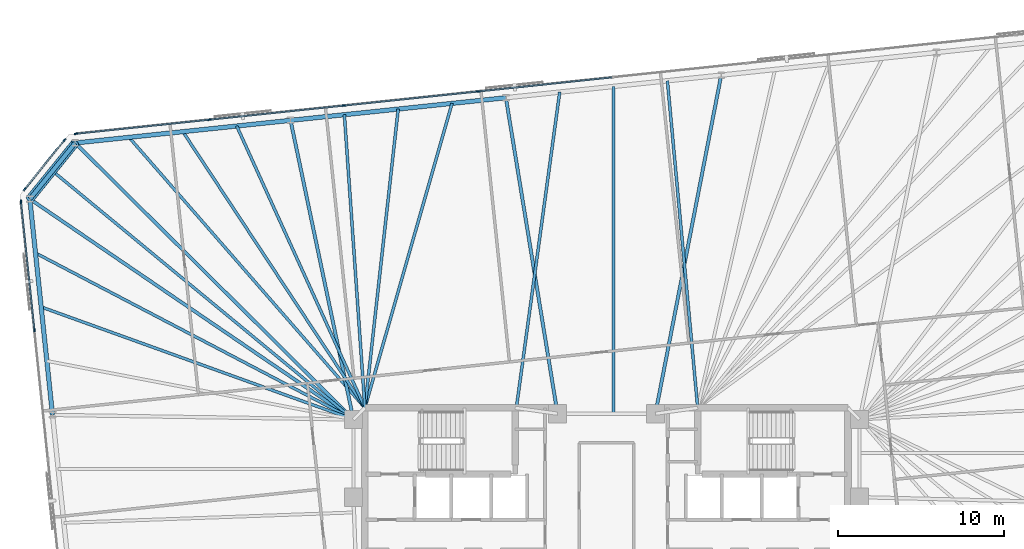
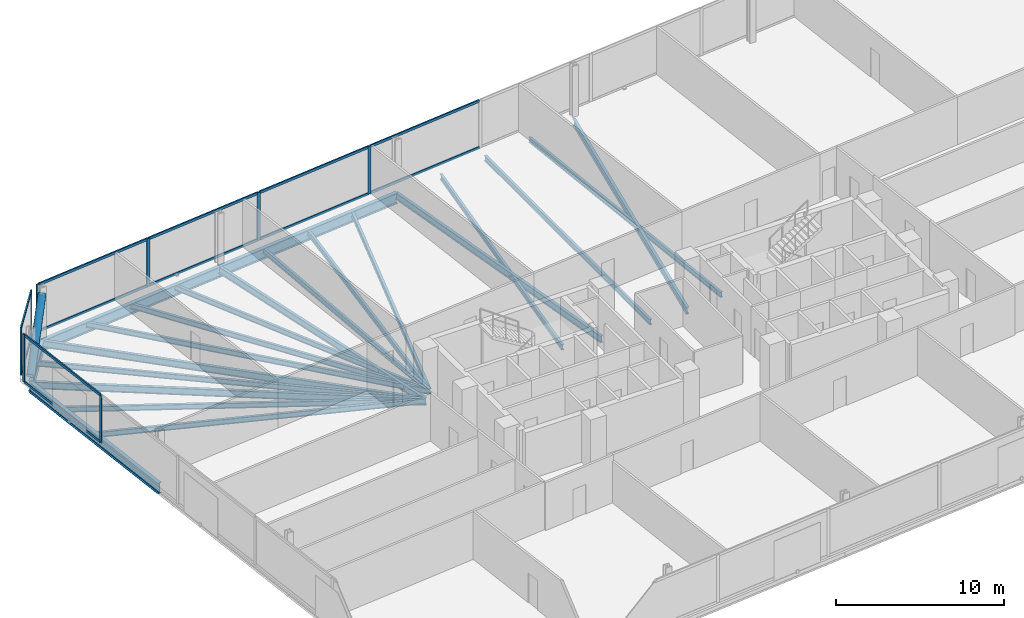
# One storey, part 9 of 18: 21 beams, 21 members, 3 elements without a shape of their own.
"""IFC4 building model written with IfcOpenShell, lengths in metres."""

from ifc_helpers import new_model, si_unit, direction, frame, origin, origin_2d, place, context, subcontext, project, spatial, rectangle, hollow_circle, i_section, extrude, material, material_profile, profile_set, type_object, element, aggregate, save


model = new_model("IFC4")

# Units and contexts
model_context = context("Model", 3, precision=1e-05, world=origin(), true_north=direction((0.0, 1.0)))
body_context = subcontext(model_context, "Body", "Model", "MODEL_VIEW")
ifc_project = project(units=[si_unit("LENGTHUNIT", "METRE"), si_unit("AREAUNIT", "SQUARE_METRE"), si_unit("VOLUMEUNIT", "CUBIC_METRE"), si_unit("PLANEANGLEUNIT", "RADIAN"), si_unit("MASSUNIT", "GRAM", prefix="KILO")], contexts=[model_context])

# Site, building, storey
site_placement = place(None, origin())
site = spatial("IfcSite", under=ifc_project, at=site_placement, CompositionType="ELEMENT")
building_placement = place(site_placement, origin())
building = spatial("IfcBuilding", under=site, at=building_placement, Name="Menara Jurai Vektor", CompositionType="ELEMENT")
storey_placement = place(building_placement, frame((0.0, 0.0, 120.699951171875)))
storey = spatial("IfcBuildingStorey", under=building, at=storey_placement, Name="L30", CompositionType="ELEMENT", Elevation=120.699951171875)

# Curtain wall, members
ifc_material_1 = material(Name="Anodised Pale Aluminium & Low-E Double Glazing", Category="aluminium")
curtain_wall_type = type_object("IfcCurtainWallType", Name="CW-BLK2", PredefinedType="NOTDEFINED", material=ifc_material_1)
curtain_wall_1_placement = place(storey_placement, origin())
curtain_wall_1 = element("IfcCurtainWall", 1, at=curtain_wall_1_placement, inside=storey, type_object=curtain_wall_type, Name="Unitised Curtain Wall L30 F05", PredefinedType="NOTDEFINED")
ifc_material_2 = material(Name="Anodised Pale Aluminium Mullion", Category="aluminium")
ifc_material_profile_1 = material_profile(ifc_material_2, rectangle(XDim=0.090087890625, YDim=0.219970703125, at=origin_2d()), Name="ALU MUL 90x220")
ifc_profile_set_1 = profile_set([ifc_material_profile_1], Name="Anodised Pale Aluminium Mullion")
member_type_1 = type_object("IfcMemberType", Name="CW-BLK2-MUL", PredefinedType="MULLION", material=ifc_profile_set_1)
member_1_placement = place(storey_placement, frame((-7.728271484375, 24.67138671875, 0.0), z_axis=(0.0, 0.0, 1.0), x_axis=(0.104528634935, -0.994521877325, 0.0)))
member_1 = element("IfcMember", 2, at=member_1_placement, type_object=member_type_1, Name="CW-02 mullion 6", PredefinedType="MULLION", context=body_context, shape_type="SweptSolid", body=[
    extrude(rectangle(XDim=0.090087890625, YDim=0.219970703125, at=origin_2d()), origin(), (0.0, 0.0, 1.0), 3.47509765625),
])
member_2_placement = place(storey_placement, frame((-15.826171875, 23.8203125, 0.0), z_axis=(0.0, 0.0, 1.0), x_axis=(0.104528634935, -0.994521877325, 0.0)))
member_2 = element("IfcMember", 3, at=member_2_placement, type_object=member_type_1, Name="CW-02 mullion 7", PredefinedType="MULLION", context=body_context, shape_type="SweptSolid", body=[
    extrude(rectangle(XDim=0.090087890625, YDim=0.219970703125, at=origin_2d()), origin(), (0.0, 0.0, 1.0), 3.47509765625),
])
member_3_placement = place(storey_placement, frame((-23.924072265625, 22.96923828125, 0.0), z_axis=(0.0, 0.0, 1.0), x_axis=(0.104528634935, -0.994521877325, 0.0)))
member_3 = element("IfcMember", 4, at=member_3_placement, type_object=member_type_1, Name="CW-02 mullion 8", PredefinedType="MULLION", context=body_context, shape_type="SweptSolid", body=[
    extrude(rectangle(XDim=0.090087890625, YDim=0.219970703125, at=origin_2d()), origin(), (0.0, 0.0, 1.0), 3.47509765625),
])
member_4_placement = place(storey_placement, frame((-31.97705078125, 22.122802734375, 0.0), z_axis=(0.0, 0.0, 1.0), x_axis=(0.104528634935, -0.994521877325, 0.0)))
member_4 = element("IfcMember", 5, at=member_4_placement, type_object=member_type_1, Name="CW-02 mullion 9", PredefinedType="MULLION", context=body_context, shape_type="SweptSolid", body=[
    extrude(rectangle(XDim=0.090087890625, YDim=0.219970703125, at=origin_2d()), origin(), (0.0, 0.0, 1.0), 3.47509765625),
])

curtain_wall_2_placement = place(storey_placement, origin())
curtain_wall_2 = element("IfcCurtainWall", 6, at=curtain_wall_2_placement, inside=storey, type_object=curtain_wall_type, Name="Unitised Curtain Wall L30 F06", PredefinedType="NOTDEFINED")
member_5_placement = place(storey_placement, frame((-32.667236328125, 21.748046875, 0.0), z_axis=(0.0, 0.0, 1.0), x_axis=(0.777129222223, -0.62934106172, 0.0)))
member_5 = element("IfcMember", 7, at=member_5_placement, type_object=member_type_1, Name="CW-02 mullion 1", PredefinedType="MULLION", context=body_context, shape_type="SweptSolid", body=[
    extrude(rectangle(XDim=0.090087890625, YDim=0.219970703125, at=origin_2d()), origin(), (0.0, 0.0, 1.0), 3.47509765625),
])
member_6_placement = place(storey_placement, frame((-35.0693359375, 18.781982421875, 0.0), z_axis=(0.0, 0.0, 1.0), x_axis=(0.777129222223, -0.62934106172, 0.0)))
member_6 = element("IfcMember", 8, at=member_6_placement, type_object=member_type_1, Name="CW-02 mullion 2", PredefinedType="MULLION", context=body_context, shape_type="SweptSolid", body=[
    extrude(rectangle(XDim=0.090087890625, YDim=0.219970703125, at=origin_2d()), origin(), (0.0, 0.0, 1.0), 3.47509765625),
])

curtain_wall_3_placement = place(storey_placement, origin())
curtain_wall_3 = element("IfcCurtainWall", 9, at=curtain_wall_3_placement, inside=storey, type_object=curtain_wall_type, Name="Unitised Curtain Wall L30 F07", PredefinedType="NOTDEFINED")
member_7_placement = place(storey_placement, frame((-35.29248046875, 18.029052734375, 0.0), z_axis=(0.0, 0.0, 1.0), x_axis=(0.99452177832, 0.104529576902, 0.0)))
member_7 = element("IfcMember", 10, at=member_7_placement, type_object=member_type_1, Name="CW-02 mullion 1", PredefinedType="MULLION", context=body_context, shape_type="SweptSolid", body=[
    extrude(rectangle(XDim=0.090087890625, YDim=0.219970703125, at=origin_2d()), origin(), (0.0, 0.0, 1.0), 3.47509765625),
])
member_8_placement = place(storey_placement, frame((-34.478759765625, 10.28857421875, 0.0), z_axis=(0.0, 0.0, 1.0), x_axis=(0.99452177832, 0.104529576902, 0.0)))
member_8 = element("IfcMember", 11, at=member_8_placement, type_object=member_type_1, Name="CW-02 mullion 2", PredefinedType="MULLION", context=body_context, shape_type="SweptSolid", body=[
    extrude(rectangle(XDim=0.090087890625, YDim=0.219970703125, at=origin_2d()), origin(), (0.0, 0.0, 1.0), 3.47509765625),
])

# Member
ifc_material_3 = material(Name="Anodised Pale Aluminium Transom", Category="aluminium")
ifc_material_profile_2 = material_profile(ifc_material_3, rectangle(XDim=0.090087890625, YDim=0.18505859375, at=origin_2d()), Name="ALU TRN 90x185")
ifc_profile_set_2 = profile_set([ifc_material_profile_2], Name="Anodised Pale Aluminium Transom")
member_type_2 = type_object("IfcMemberType", Name="CW-BLK2-TRN", PredefinedType="USERDEFINED", material=ifc_profile_set_2)
member_9_placement = place(storey_placement, frame((0.324951171875, 25.517822265625, 0.045166015625), z_axis=(-0.99452387809, -0.104509597213, 0.0), x_axis=(0.104509597213, -0.99452387809, 0.0)))
member_9 = element("IfcMember", 12, at=member_9_placement, type_object=member_type_2, Name="CW-02 transom 5.1", ObjectType="TRANSOM", PredefinedType="USERDEFINED", context=body_context, shape_type="SweptSolid", body=[
    extrude(rectangle(XDim=0.090087890625, YDim=0.18505859375, at=origin_2d()), origin(), (0.0, 0.0, 1.0), 8.052490234375),
])

member_10_placement = place(storey_placement, frame((0.324951171875, 25.517822265625, 3.429931640625), z_axis=(-0.99452387809, -0.104509597213, 0.0), x_axis=(0.104509597213, -0.99452387809, 0.0)))
member_10 = element("IfcMember", 13, at=member_10_placement, type_object=member_type_2, Name="CW-02 transom 5.2", ObjectType="TRANSOM", PredefinedType="USERDEFINED", context=body_context, shape_type="SweptSolid", body=[
    extrude(rectangle(XDim=0.090087890625, YDim=0.18505859375, at=origin_2d()), origin(), (0.0, 0.0, 1.0), 8.052490234375),
])

member_11_placement = place(storey_placement, frame((-7.77294921875, 24.666748046875, 0.045166015625), z_axis=(-0.994520726373, -0.10453958492, 0.0), x_axis=(0.10453958492, -0.994520726373, 0.0)))
member_11 = element("IfcMember", 14, at=member_11_placement, type_object=member_type_2, Name="CW-02 transom 6.1", ObjectType="TRANSOM", PredefinedType="USERDEFINED", context=body_context, shape_type="SweptSolid", body=[
    extrude(rectangle(XDim=0.090087890625, YDim=0.18505859375, at=origin_2d()), origin(), (0.0, 0.0, 1.0), 8.052490234375),
])

member_12_placement = place(storey_placement, frame((-7.77294921875, 24.666748046875, 3.429931640625), z_axis=(-0.994520726373, -0.10453958492, 0.0), x_axis=(0.10453958492, -0.994520726373, 0.0)))
member_12 = element("IfcMember", 15, at=member_12_placement, type_object=member_type_2, Name="CW-02 transom 6.2", ObjectType="TRANSOM", PredefinedType="USERDEFINED", context=body_context, shape_type="SweptSolid", body=[
    extrude(rectangle(XDim=0.090087890625, YDim=0.18505859375, at=origin_2d()), origin(), (0.0, 0.0, 1.0), 8.052490234375),
])

member_13_placement = place(storey_placement, frame((-15.870849609375, 23.815673828125, 0.045166015625), z_axis=(-0.994520726373, -0.10453958492, 0.0), x_axis=(0.10453958492, -0.994520726373, 0.0)))
member_13 = element("IfcMember", 16, at=member_13_placement, type_object=member_type_2, Name="CW-02 transom 7.1", ObjectType="TRANSOM", PredefinedType="USERDEFINED", context=body_context, shape_type="SweptSolid", body=[
    extrude(rectangle(XDim=0.090087890625, YDim=0.18505859375, at=origin_2d()), origin(), (0.0, 0.0, 1.0), 8.052490234375),
])

member_14_placement = place(storey_placement, frame((-15.870849609375, 23.815673828125, 3.429931640625), z_axis=(-0.994520726373, -0.10453958492, 0.0), x_axis=(0.10453958492, -0.994520726373, 0.0)))
member_14 = element("IfcMember", 17, at=member_14_placement, type_object=member_type_2, Name="CW-02 transom 7.2", ObjectType="TRANSOM", PredefinedType="USERDEFINED", context=body_context, shape_type="SweptSolid", body=[
    extrude(rectangle(XDim=0.090087890625, YDim=0.18505859375, at=origin_2d()), origin(), (0.0, 0.0, 1.0), 8.052490234375),
])

member_15_placement = place(storey_placement, frame((-23.96875, 22.964599609375, 0.045166015625), z_axis=(-0.994519977808, -0.104546706027, 0.0), x_axis=(0.104546706027, -0.994519977808, 0.0)))
member_15 = element("IfcMember", 18, at=member_15_placement, type_object=member_type_2, Name="CW-02 transom 8.1", ObjectType="TRANSOM", PredefinedType="USERDEFINED", context=body_context, shape_type="SweptSolid", body=[
    extrude(rectangle(XDim=0.090087890625, YDim=0.18505859375, at=origin_2d()), origin(), (0.0, 0.0, 1.0), 8.007568359375),
])

member_16_placement = place(storey_placement, frame((-23.96875, 22.964599609375, 3.429931640625), z_axis=(-0.994519977808, -0.104546706027, 0.0), x_axis=(0.104546706027, -0.994519977808, 0.0)))
member_16 = element("IfcMember", 19, at=member_16_placement, type_object=member_type_2, Name="CW-02 transom 8.2", ObjectType="TRANSOM", PredefinedType="USERDEFINED", context=body_context, shape_type="SweptSolid", body=[
    extrude(rectangle(XDim=0.090087890625, YDim=0.18505859375, at=origin_2d()), origin(), (0.0, 0.0, 1.0), 8.007568359375),
])

aggregate(curtain_wall_1, [member_1, member_2, member_3, member_4, member_9, member_10, member_11, member_12, member_13, member_14, member_15, member_16])

member_17_placement = place(storey_placement, frame((-32.695556640625, 21.713134765625, 0.045166015625), z_axis=(-0.6293414396, -0.777128916205, 0.0), x_axis=(0.777128916205, -0.6293414396, 0.0)))
member_17 = element("IfcMember", 20, at=member_17_placement, type_object=member_type_2, Name="CW-02 transom 1.1", ObjectType="TRANSOM", PredefinedType="USERDEFINED", context=body_context, shape_type="SweptSolid", body=[
    extrude(rectangle(XDim=0.090087890625, YDim=0.18505859375, at=origin_2d()), origin(), (0.0, 0.0, 1.0), 3.726806640625),
])

member_18_placement = place(storey_placement, frame((-32.695556640625, 21.713134765625, 3.429931640625), z_axis=(-0.6293414396, -0.777128916205, 0.0), x_axis=(0.777128916205, -0.6293414396, 0.0)))
member_18 = element("IfcMember", 21, at=member_18_placement, type_object=member_type_2, Name="CW-02 transom 1.2", ObjectType="TRANSOM", PredefinedType="USERDEFINED", context=body_context, shape_type="SweptSolid", body=[
    extrude(rectangle(XDim=0.090087890625, YDim=0.18505859375, at=origin_2d()), origin(), (0.0, 0.0, 1.0), 3.726806640625),
])

aggregate(curtain_wall_2, [member_5, member_6, member_17, member_18])

member_19_placement = place(storey_placement, frame((-35.28759765625, 17.984130859375, 0.045166015625), z_axis=(0.104504716935, -0.994524390922, 0.0), x_axis=(0.994524390922, 0.104504716935, 0.0)))
member_19 = element("IfcMember", 22, at=member_19_placement, type_object=member_type_2, Name="CW-02 transom 1.1", ObjectType="TRANSOM", PredefinedType="USERDEFINED", context=body_context, shape_type="SweptSolid", body=[
    extrude(rectangle(XDim=0.090087890625, YDim=0.18505859375, at=origin_2d()), origin(), (0.0, 0.0, 1.0), 7.693115234375),
])

member_20_placement = place(storey_placement, frame((-35.28759765625, 17.984130859375, 3.429931640625), z_axis=(0.104504716935, -0.994524390922, 0.0), x_axis=(0.994524390922, 0.104504716935, 0.0)))
member_20 = element("IfcMember", 23, at=member_20_placement, type_object=member_type_2, Name="CW-02 transom 1.2", ObjectType="TRANSOM", PredefinedType="USERDEFINED", context=body_context, shape_type="SweptSolid", body=[
    extrude(rectangle(XDim=0.090087890625, YDim=0.18505859375, at=origin_2d()), origin(), (0.0, 0.0, 1.0), 7.693115234375),
])

aggregate(curtain_wall_3, [member_7, member_8, member_19, member_20])

# Beams
ifc_material_4 = material(Name="Steel S355", Category="steel")
ifc_material_profile_3 = material_profile(ifc_material_4, i_section(OverallWidth=0.199951171875, OverallDepth=0.5, WebThickness=0.011962890625, FlangeThickness=0.02001953125, at=origin_2d()), Name="PG 500x200x96")
ifc_profile_set_3 = profile_set([ifc_material_profile_3], Name="Steel S355")
beam_type_1 = type_object("IfcBeamType", Name="STR-BM-500", PredefinedType="BEAM", material=ifc_profile_set_3)
beam_1_placement = place(storey_placement, frame((6.9169921875, 25.65771484375, -0.474853515625), z_axis=(-0.190817481746, -0.981625533826, 0.0), x_axis=(0.981625533826, -0.190817481746, 0.0)))
element("IfcBeam", 24, at=beam_1_placement, inside=storey, type_object=beam_type_1, Name="Radial Floor Girder L30-N3", PredefinedType="BEAM", context=body_context, shape_type="SweptSolid", body=[
    extrude(i_section(OverallWidth=0.199951171875, OverallDepth=0.5, WebThickness=0.011962890625, FlangeThickness=0.02001953125, at=origin_2d()), origin(), (0.0, 0.0, 1.0), 20.789794921875),
])
beam_2_placement = place(storey_placement, frame((-6.0625, 24.29345703125, -0.474853515625), z_axis=(0.161304178177, -0.986904738109, 0.0), x_axis=(0.986904738109, 0.161304178177, 0.0)))
element("IfcBeam", 25, at=beam_2_placement, inside=storey, type_object=beam_type_1, Name="Radial Floor Girder L30-N4", PredefinedType="BEAM", context=body_context, shape_type="SweptSolid", body=[
    extrude(i_section(OverallWidth=0.199951171875, OverallDepth=0.5, WebThickness=0.011962890625, FlangeThickness=0.02001953125, at=origin_2d()), origin(), (0.0, 0.0, 1.0), 19.296142578125),
])
beam_3_placement = place(storey_placement, frame((-19.042236328125, 22.92919921875, -0.474853515625), z_axis=(0.205833499861, -0.978587027471, 0.0), x_axis=(0.978587027471, 0.205833499861, 0.0)))
element("IfcBeam", 26, at=beam_3_placement, inside=storey, type_object=beam_type_1, Name="Radial Floor Girder L30-N5", PredefinedType="BEAM", context=body_context, shape_type="SweptSolid", body=[
    extrude(i_section(OverallWidth=0.199951171875, OverallDepth=0.5, WebThickness=0.011962890625, FlangeThickness=0.02001953125, at=origin_2d()), origin(), (0.0, 0.0, 1.0), 18.423828125),
])
beam_4_placement = place(storey_placement, frame((-32.02197265625, 21.565185546875, -0.474853515625), z_axis=(0.709359361276, -0.704847002242, 0.0), x_axis=(0.704847002242, 0.709359361276, 0.0)))
element("IfcBeam", 27, at=beam_4_placement, inside=storey, type_object=beam_type_1, Name="Radial Floor Girder L30-N6", PredefinedType="BEAM", context=body_context, shape_type="SweptSolid", body=[
    extrude(i_section(OverallWidth=0.199951171875, OverallDepth=0.5, WebThickness=0.011962890625, FlangeThickness=0.02001953125, at=origin_2d()), origin(), (0.0, 0.0, 1.0), 23.643798828125),
])
beam_5_placement = place(storey_placement, frame((-34.756103515625, 18.188720703125, -0.474853515625), z_axis=(0.826440214756, -0.563024485643, 0.0), x_axis=(0.563024485643, 0.826440214756, 0.0)))
element("IfcBeam", 28, at=beam_5_placement, inside=storey, type_object=beam_type_1, Name="Radial Floor Girder L30-W1", PredefinedType="BEAM", context=body_context, shape_type="SweptSolid", body=[
    extrude(i_section(OverallWidth=0.199951171875, OverallDepth=0.5, WebThickness=0.011962890625, FlangeThickness=0.02001953125, at=origin_2d()), origin(), (0.0, 0.0, 1.0), 23.6025390625),
])

# Member
ifc_material_5 = material(Name="Steel S460", Category="steel")
ifc_material_profile_4 = material_profile(ifc_material_5, hollow_circle(Radius=0.25390625, WallThickness=0.02001953125, at=origin_2d()), Name="CHS 508x20")
ifc_profile_set_4 = profile_set([ifc_material_profile_4], Name="Steel S460")
member_type_3 = type_object("IfcMemberType", Name="STR-BR-508", PredefinedType="BRACE", material=ifc_profile_set_4)
member_21_placement = place(storey_placement, frame((-34.756103515625, 18.188720703125, 0.150146484375), z_axis=(0.51925145818, 0.641240080956, 0.564968213047), x_axis=(-0.777154568396, 0.629309762217, 0.0)))
element("IfcMember", 29, at=member_21_placement, inside=storey, type_object=member_type_3, Name="Exoskeleton Corner Brace L30-3", PredefinedType="BRACE", context=body_context, shape_type="SweptSolid", body=[
    extrude(hollow_circle(Radius=0.25390625, WallThickness=0.02001953125, at=origin_2d()), origin(), (0.0, 0.0, 1.0), 5.265625),
])

# Beams
ifc_material_profile_5 = material_profile(ifc_material_4, i_section(OverallWidth=0.175048828125, OverallDepth=0.3798828125, WebThickness=0.010009765625, FlangeThickness=0.014892578125, at=origin_2d()), Name="PG 380x175x58")
ifc_profile_set_5 = profile_set([ifc_material_profile_5], Name="Steel S355")
beam_type_2 = type_object("IfcBeamType", Name="STR-JS-380", PredefinedType="JOIST", material=ifc_profile_set_5)
beam_6_placement = place(storey_placement, frame((3.672119140625, 25.316650390625, -0.4150390625), z_axis=(0.092312082085, -0.995730123829, 0.0), x_axis=(0.995730123829, 0.092312082085, 0.0)))
element("IfcBeam", 30, at=beam_6_placement, inside=storey, type_object=beam_type_2, Name="Radial Secondary Floor Joist L30-JS26", PredefinedType="JOIST", context=body_context, shape_type="SweptSolid", body=[
    extrude(i_section(OverallWidth=0.175048828125, OverallDepth=0.3798828125, WebThickness=0.010009765625, FlangeThickness=0.014892578125, at=origin_2d()), origin(), (0.0, 0.0, 1.0), 19.801025390625),
])
beam_7_placement = place(storey_placement, frame((0.42724609375, 24.9755859375, -0.4150390625), z_axis=(0.0, -1.0, 0.0), x_axis=(1.0, 0.0, 0.0)))
element("IfcBeam", 31, at=beam_7_placement, inside=storey, type_object=beam_type_2, Name="Radial Secondary Floor Joist L30-JS27", PredefinedType="JOIST", context=body_context, shape_type="SweptSolid", body=[
    extrude(i_section(OverallWidth=0.175048828125, OverallDepth=0.3798828125, WebThickness=0.010009765625, FlangeThickness=0.014892578125, at=origin_2d()), origin(), (0.0, 0.0, 1.0), 19.7255859375),
])
beam_8_placement = place(storey_placement, frame((-2.817626953125, 24.634521484375, -0.4150390625), z_axis=(-0.135987109192, -0.990710606652, 0.0), x_axis=(0.990710606652, -0.135987109192, 0.0)))
element("IfcBeam", 32, at=beam_8_placement, inside=storey, type_object=beam_type_2, Name="Radial Secondary Floor Joist L30-JS28", PredefinedType="JOIST", context=body_context, shape_type="SweptSolid", body=[
    extrude(i_section(OverallWidth=0.175048828125, OverallDepth=0.3798828125, WebThickness=0.010009765625, FlangeThickness=0.014892578125, at=origin_2d()), origin(), (0.0, 0.0, 1.0), 19.222412109375),
])
beam_9_placement = place(storey_placement, frame((-9.3076171875, 23.952392578125, -0.4150390625), z_axis=(-0.275153530359, -0.961400298903, 0.0), x_axis=(0.961400298903, -0.275153530359, 0.0)))
element("IfcBeam", 33, at=beam_9_placement, inside=storey, type_object=beam_type_2, Name="Radial Secondary Floor Joist L30-JS29", PredefinedType="JOIST", context=body_context, shape_type="SweptSolid", body=[
    extrude(i_section(OverallWidth=0.175048828125, OverallDepth=0.3798828125, WebThickness=0.010009765625, FlangeThickness=0.014892578125, at=origin_2d()), origin(), (0.0, 0.0, 1.0), 19.089111328125),
])
beam_10_placement = place(storey_placement, frame((-12.552490234375, 23.611328125, -0.4150390625), z_axis=(-0.110776028048, -0.993845396231, 0.0), x_axis=(0.993845396231, -0.110776028048, 0.0)))
element("IfcBeam", 34, at=beam_10_placement, inside=storey, type_object=beam_type_2, Name="Radial Secondary Floor Joist L30-JS30", PredefinedType="JOIST", context=body_context, shape_type="SweptSolid", body=[
    extrude(i_section(OverallWidth=0.175048828125, OverallDepth=0.3798828125, WebThickness=0.010009765625, FlangeThickness=0.014892578125, at=origin_2d()), origin(), (0.0, 0.0, 1.0), 18.122802734375),
])
beam_11_placement = place(storey_placement, frame((-15.79736328125, 23.2705078125, -0.4150390625), z_axis=(0.069850249402, -0.997557488398, 0.0), x_axis=(0.997557488398, 0.069850249402, 0.0)))
element("IfcBeam", 35, at=beam_11_placement, inside=storey, type_object=beam_type_2, Name="Radial Secondary Floor Joist L30-JS31", PredefinedType="JOIST", context=body_context, shape_type="SweptSolid", body=[
    extrude(i_section(OverallWidth=0.175048828125, OverallDepth=0.3798828125, WebThickness=0.010009765625, FlangeThickness=0.014892578125, at=origin_2d()), origin(), (0.0, 0.0, 1.0), 17.713623046875),
])
beam_12_placement = place(storey_placement, frame((-22.287109375, 22.58837890625, -0.4150390625), z_axis=(0.414029617818, -0.910263409992, 0.0), x_axis=(0.910263409992, 0.414029617818, 0.0)))
element("IfcBeam", 36, at=beam_12_placement, inside=storey, type_object=beam_type_2, Name="Radial Secondary Floor Joist L30-JS32", PredefinedType="JOIST", context=body_context, shape_type="SweptSolid", body=[
    extrude(i_section(OverallWidth=0.175048828125, OverallDepth=0.3798828125, WebThickness=0.010009765625, FlangeThickness=0.014892578125, at=origin_2d()), origin(), (0.0, 0.0, 1.0), 18.6630859375),
])
beam_13_placement = place(storey_placement, frame((-25.531982421875, 22.247314453125, -0.4150390625), z_axis=(0.550309675793, -0.834960634239, 0.0), x_axis=(0.834960634239, 0.550309675793, 0.0)))
element("IfcBeam", 37, at=beam_13_placement, inside=storey, type_object=beam_type_2, Name="Radial Secondary Floor Joist L30-JS33", PredefinedType="JOIST", context=body_context, shape_type="SweptSolid", body=[
    extrude(i_section(OverallWidth=0.175048828125, OverallDepth=0.3798828125, WebThickness=0.010009765625, FlangeThickness=0.014892578125, at=origin_2d()), origin(), (0.0, 0.0, 1.0), 19.937744140625),
])
beam_14_placement = place(storey_placement, frame((-28.777099609375, 21.90625, -0.4150390625), z_axis=(0.657172520545, -0.753740192798, 0.0), x_axis=(0.753740192798, 0.657172520545, 0.0)))
element("IfcBeam", 38, at=beam_14_placement, inside=storey, type_object=beam_type_2, Name="Radial Secondary Floor Joist L30-JS34", PredefinedType="JOIST", context=body_context, shape_type="SweptSolid", body=[
    extrude(i_section(OverallWidth=0.175048828125, OverallDepth=0.3798828125, WebThickness=0.010009765625, FlangeThickness=0.014892578125, at=origin_2d()), origin(), (0.0, 0.0, 1.0), 21.633544921875),
])
beam_15_placement = place(storey_placement, frame((-33.388916015625, 19.876953125, -0.4150390625), z_axis=(0.771113505069, -0.636697700876, 0.0), x_axis=(0.636697700876, 0.771113505069, 0.0)))
element("IfcBeam", 39, at=beam_15_placement, inside=storey, type_object=beam_type_2, Name="Radial Secondary Floor Joist L30-JS35", PredefinedType="JOIST", context=body_context, shape_type="SweptSolid", body=[
    extrude(i_section(OverallWidth=0.175048828125, OverallDepth=0.3798828125, WebThickness=0.010009765625, FlangeThickness=0.014892578125, at=origin_2d()), origin(), (0.0, 0.0, 1.0), 23.52294921875),
])
beam_16_placement = place(storey_placement, frame((-34.414306640625, 14.935302734375, -0.4150390625), z_axis=(0.885889402471, -0.463896504179, 0.0), x_axis=(0.463896504179, 0.885889402471, 0.0)))
element("IfcBeam", 40, at=beam_16_placement, inside=storey, type_object=beam_type_2, Name="Radial Secondary Floor Joist L30-JS36", PredefinedType="JOIST", context=body_context, shape_type="SweptSolid", body=[
    extrude(i_section(OverallWidth=0.175048828125, OverallDepth=0.3798828125, WebThickness=0.010009765625, FlangeThickness=0.014892578125, at=origin_2d()), origin(), (0.0, 0.0, 1.0), 21.6328125),
])
beam_17_placement = place(storey_placement, frame((-34.072265625, 11.681884765625, -0.4150390625), z_axis=(0.940792327273, -0.338983475917, 0.0), x_axis=(0.338983475917, 0.940792327273, 0.0)))
element("IfcBeam", 41, at=beam_17_placement, inside=storey, type_object=beam_type_2, Name="Radial Secondary Floor Joist L30-JS37", PredefinedType="JOIST", context=body_context, shape_type="SweptSolid", body=[
    extrude(i_section(OverallWidth=0.175048828125, OverallDepth=0.3798828125, WebThickness=0.010009765625, FlangeThickness=0.014892578125, at=origin_2d()), origin(), (0.0, 0.0, 1.0), 20.0068359375),
])
ifc_material_profile_6 = material_profile(ifc_material_5, i_section(OverallWidth=0.26806640625, OverallDepth=0.77001953125, WebThickness=0.01611328125, FlangeThickness=0.02490234375, FilletRadius=0.01708984375, at=origin_2d()), Name="UKB 762x267x197")
ifc_profile_set_6 = profile_set([ifc_material_profile_6], Name="Steel S460")
beam_type_3 = type_object("IfcBeamType", Name="STR-SP-762", PredefinedType="SPANDREL", material=ifc_profile_set_6)
for number, where, z_axis, x_axis, name in (
    (42, (-6.0625, 24.29345703125, -0.60986328125), (-0.994521636083, -0.104530930169, 0.0), (0.104530930169, -0.994521636083, 0.0), "Exoskeleton Spandrel Beam L30-14"),
    (43, (-19.042236328125, 22.92919921875, -0.60986328125), (-0.994523580592, -0.104512428191, 0.0), (0.104512428191, -0.994523580592, 0.0), "Exoskeleton Spandrel Beam L30-15"),
):
    element("IfcBeam", number, at=place(storey_placement, frame(where, z_axis=z_axis, x_axis=x_axis)), inside=storey, type_object=beam_type_3, Name=name, PredefinedType="SPANDREL", context=body_context, shape_type="SweptSolid", body=[
        extrude(i_section(OverallWidth=0.26806640625, OverallDepth=0.77001953125, WebThickness=0.01611328125, FlangeThickness=0.02490234375, FilletRadius=0.01708984375, at=origin_2d()), origin(), (0.0, 0.0, 1.0), 13.05126953125),
    ])
beam_18_placement = place(storey_placement, frame((-32.02197265625, 21.565185546875, -0.60986328125), z_axis=(-0.629309762217, -0.777154568396, 0.0), x_axis=(0.777154568396, -0.629309762217, 0.0)))
element("IfcBeam", 44, at=beam_18_placement, inside=storey, type_object=beam_type_3, Name="Exoskeleton Spandrel Beam L30-16", PredefinedType="SPANDREL", context=body_context, shape_type="SweptSolid", body=[
    extrude(i_section(OverallWidth=0.26806640625, OverallDepth=0.77001953125, WebThickness=0.01611328125, FlangeThickness=0.02490234375, FilletRadius=0.01708984375, at=origin_2d()), origin(), (0.0, 0.0, 1.0), 4.3447265625),
])
beam_19_placement = place(storey_placement, frame((-34.756103515625, 18.188720703125, -0.60986328125), z_axis=(0.104538130097, -0.994520879296, 0.0), x_axis=(0.994520879296, 0.104538130097, 0.0)))
element("IfcBeam", 45, at=beam_19_placement, inside=storey, type_object=beam_type_3, Name="Exoskeleton Spandrel Beam L30-17", PredefinedType="SPANDREL", context=body_context, shape_type="SweptSolid", body=[
    extrude(i_section(OverallWidth=0.26806640625, OverallDepth=0.77001953125, WebThickness=0.01611328125, FlangeThickness=0.02490234375, FilletRadius=0.01708984375, at=origin_2d()), origin(), (0.0, 0.0, 1.0), 13.08544921875),
])

save(model, "model.ifc")
